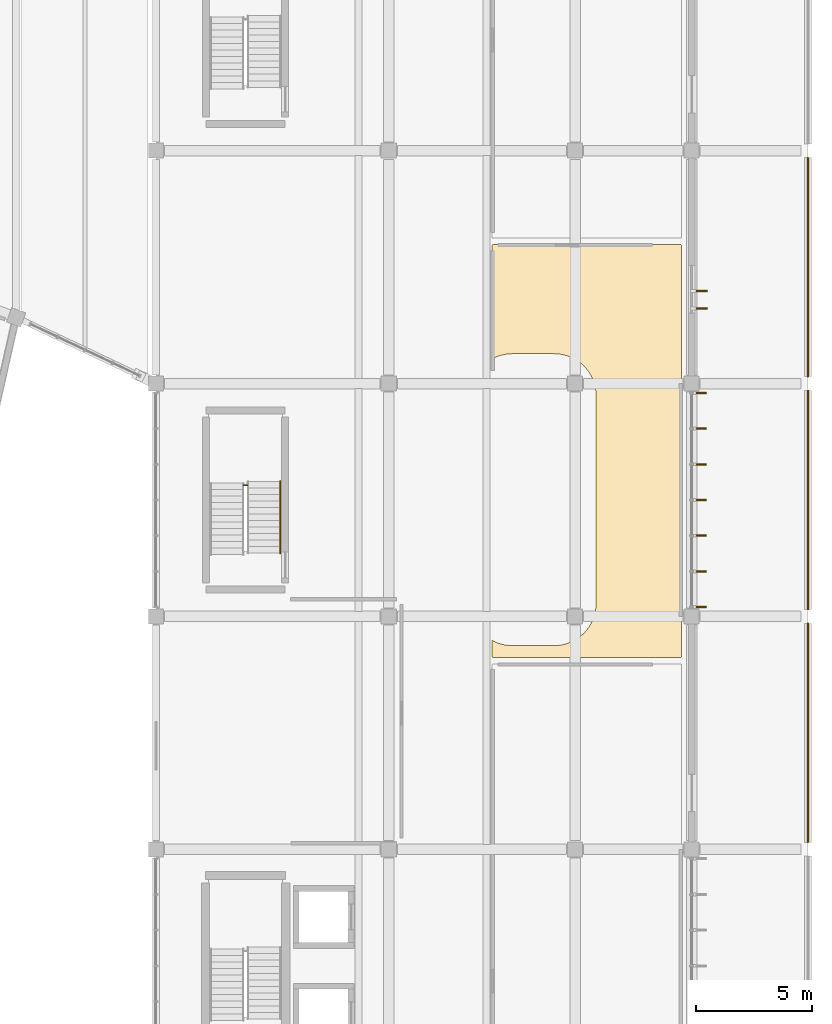
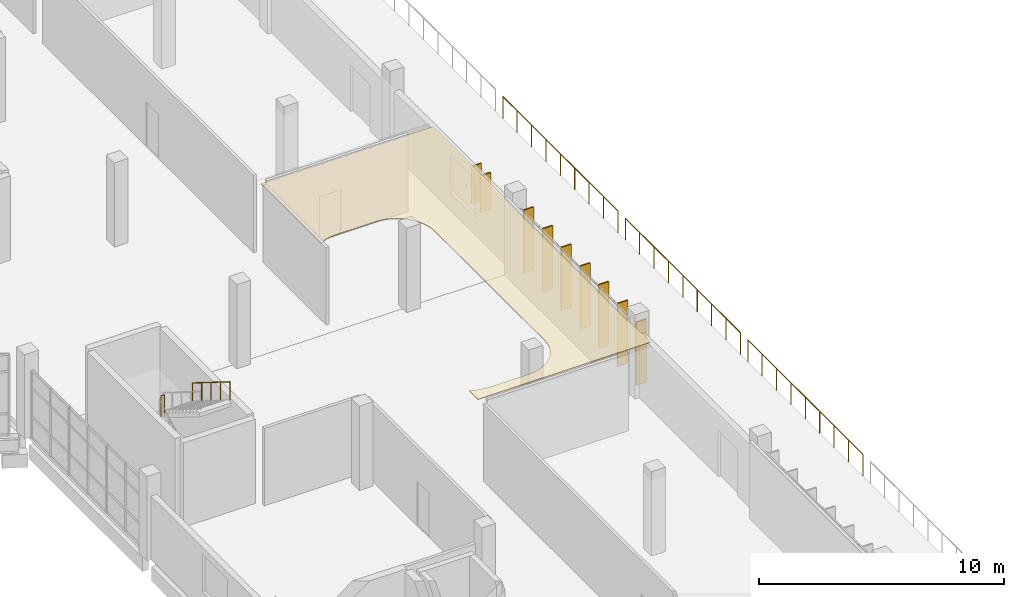
# One storey, part 136 of 142: 9 shading devices, 5 railings, 1 covering.
"""IFC4 building model written with IfcOpenShell, lengths in metres."""

from ifc_helpers import new_model, si_unit, direction, frame, origin, origin_2d, place, context, subcontext, project, spatial, polyline, rectangle, circle, outline, extrude, material, layer, layer_set, type_object, element, save


model = new_model("IFC4")

# Units and contexts
model_context = context("Model", 3, precision=1e-05, world=origin(), true_north=direction((0.0, 1.0)))
body_context = subcontext(model_context, "Body", "Model", "MODEL_VIEW")
ifc_project = project(units=[si_unit("LENGTHUNIT", "METRE"), si_unit("AREAUNIT", "SQUARE_METRE"), si_unit("VOLUMEUNIT", "CUBIC_METRE"), si_unit("PLANEANGLEUNIT", "RADIAN"), si_unit("MASSUNIT", "GRAM", prefix="KILO")], contexts=[model_context])

# Site, building, storey
site_placement = place(None, origin())
site = spatial("IfcSite", under=ifc_project, at=site_placement, CompositionType="ELEMENT")
building_placement = place(site_placement, origin())
building = spatial("IfcBuilding", under=site, at=building_placement, Name="Corvandel Quay Wholesale Market", CompositionType="ELEMENT")
storey_placement = place(building_placement, frame((0.0, 0.0, 10.800048828125)))
storey = spatial("IfcBuildingStorey", under=building, at=storey_placement, Name="L02", CompositionType="ELEMENT", Elevation=10.800048828125)

# Railings
ifc_material_1 = material(Name="Hot-dip galvanised painted steel", Category="steel")
ifc_layer_1 = layer(ifc_material_1, 0.06005859375)
ifc_layer_set_1 = layer_set([ifc_layer_1], Name="Hot-dip galvanised painted steel")
railing_type_1 = type_object("IfcRailingType", Name="Galvanised Steel Guard Balustrade GR01 1100mm", PredefinedType="BALUSTRADE", material=ifc_layer_set_1)
for number, where, name in (
    (1, (248.0, 30.300048828125, 0.0), "Harbour Terrace Guard L02 GR-0032"),
    (2, (248.0, 40.300048828125, 0.0), "Harbour Terrace Guard L02 GR-0033"),
    (3, (248.0, 50.300048828125, 0.0), "Harbour Terrace Guard L02 GR-0034"),
):
    element("IfcRailing", number, at=place(storey_placement, frame(where)), inside=storey, type_object=railing_type_1, Name=name, PredefinedType="BALUSTRADE", context=body_context, shape_type="SweptSolid", body=[
        extrude(circle(Radius=0.02392578125, at=origin_2d()), frame((0.0, 0.0, 1.076171875), z_axis=(0.0, 1.0, 0.0), x_axis=(-1.0, 0.0, 0.0)), (0.0, 0.0, 1.0), 9.39990234375),
        extrude(circle(Radius=0.02099609375, at=origin_2d()), origin(), (0.0, 0.0, 1.0), 1.052001953125),
        extrude(circle(Radius=0.02099609375, at=origin_2d()), frame((0.0, 1.175048828125, 0.0)), (0.0, 0.0, 1.0), 1.052001953125),
        extrude(circle(Radius=0.02099609375, at=origin_2d()), frame((0.0, 2.35009765625, 0.0)), (0.0, 0.0, 1.0), 1.052001953125),
        extrude(circle(Radius=0.02099609375, at=origin_2d()), frame((0.0, 3.52490234375, 0.0)), (0.0, 0.0, 1.0), 1.052001953125),
        extrude(circle(Radius=0.02099609375, at=origin_2d()), frame((0.0, 4.699951171875, 0.0)), (0.0, 0.0, 1.0), 1.052001953125),
        extrude(circle(Radius=0.02099609375, at=origin_2d()), frame((0.0, 5.875, 0.0)), (0.0, 0.0, 1.0), 1.052001953125),
        extrude(circle(Radius=0.02099609375, at=origin_2d()), frame((0.0, 7.0498046875, 0.0)), (0.0, 0.0, 1.0), 1.052001953125),
        extrude(circle(Radius=0.02099609375, at=origin_2d()), frame((0.0, 8.224853515625, 0.0)), (0.0, 0.0, 1.0), 1.052001953125),
        extrude(circle(Radius=0.02099609375, at=origin_2d()), frame((0.0, 9.39990234375, 0.0)), (0.0, 0.0, 1.0), 1.052001953125),
    ])

# Covering
ifc_material_2 = material(Name="Perforated powder-coated aluminium acoustic panel", Category="aluminium")
ifc_layer_2 = layer(ifc_material_2, 0.044921875)
ifc_layer_set_2 = layer_set([ifc_layer_2], Name="Perforated powder-coated aluminium acoustic panel")
covering_type = type_object("IfcCoveringType", Name="Perforated Acoustic Baffle Ceiling CLG01", PredefinedType="CEILING", material=ifc_layer_set_2)
covering_placement = place(storey_placement, frame((0.0, 0.0, 3.7099609375)))
element("IfcCovering", 4, at=covering_placement, inside=storey, type_object=covering_type, Name="Suspended Ceiling CLG-031", PredefinedType="CEILING", context=body_context, shape_type="SweptSolid", body=[
    extrude(outline(polyline([(234.4580078125, 38.239990234375), (234.4560546875, 38.239990234375), (234.4541015625, 38.240966796875), (234.451904296875, 38.241943359375), (234.450927734375, 38.241943359375), (234.448974609375, 38.242919921875), (234.447021484375, 38.2451171875), (234.446044921875, 38.24609375), (234.445068359375, 38.2470703125), (234.443115234375, 38.2490234375), (234.44189453125, 38.2509765625), (234.44189453125, 38.251953125), (234.44091796875, 38.25390625), (234.43994140625, 38.256103515625), (234.43994140625, 38.258056640625), (234.43994140625, 38.260009765625), (234.43994140625, 38.968994140625), (234.450927734375, 38.962890625), (234.611083984375, 38.886962890625), (234.777099609375, 38.827880859375), (234.948974609375, 38.784912109375), (235.1240234375, 38.759033203125), (235.300048828125, 38.75), (237.10009765625, 38.75), (237.27587890625, 38.759033203125), (237.450927734375, 38.784912109375), (237.623046875, 38.827880859375), (237.7890625, 38.886962890625), (237.948974609375, 38.962890625), (238.10009765625, 39.052978515625), (238.241943359375, 39.158935546875), (238.373046875, 39.277099609375), (238.490966796875, 39.407958984375), (238.596923828125, 39.550048828125), (238.68701171875, 39.700927734375), (238.762939453125, 39.861083984375), (238.822021484375, 40.027099609375), (238.864990234375, 40.198974609375), (238.89111328125, 40.3740234375), (238.89990234375, 40.550048828125), (238.89990234375, 49.47998046875), (238.89111328125, 49.656005859375), (238.864990234375, 49.8310546875), (238.822021484375, 50.0029296875), (238.762939453125, 50.1689453125), (238.68701171875, 50.3291015625), (238.596923828125, 50.47998046875), (238.490966796875, 50.6220703125), (238.373046875, 50.7529296875), (238.241943359375, 50.87109375), (238.10009765625, 50.97705078125), (237.948974609375, 51.06689453125), (237.7890625, 51.14306640625), (237.623046875, 51.201904296875), (237.450927734375, 51.2451171875), (237.27587890625, 51.27099609375), (237.10009765625, 51.280029296875), (235.300048828125, 51.280029296875), (235.1240234375, 51.27099609375), (234.948974609375, 51.2451171875), (234.777099609375, 51.201904296875), (234.611083984375, 51.14306640625), (234.450927734375, 51.06689453125), (234.43994140625, 51.06103515625), (234.43994140625, 55.93994140625), (234.43994140625, 55.94189453125), (234.43994140625, 55.944091796875), (234.44091796875, 55.946044921875), (234.44189453125, 55.947998046875), (234.44189453125, 55.948974609375), (234.443115234375, 55.950927734375), (234.445068359375, 55.952880859375), (234.446044921875, 55.9541015625), (234.447021484375, 55.955078125), (234.448974609375, 55.95703125), (234.450927734375, 55.9580078125), (234.451904296875, 55.9580078125), (234.4541015625, 55.958984375), (234.4560546875, 55.9599609375), (234.4580078125, 55.9599609375), (234.4599609375, 55.9599609375), (242.5400390625, 55.9599609375), (242.5419921875, 55.9599609375), (242.5439453125, 55.9599609375), (242.5458984375, 55.958984375), (242.548095703125, 55.9580078125), (242.549072265625, 55.9580078125), (242.551025390625, 55.95703125), (242.552978515625, 55.955078125), (242.553955078125, 55.9541015625), (242.554931640625, 55.952880859375), (242.556884765625, 55.950927734375), (242.55810546875, 55.948974609375), (242.55810546875, 55.947998046875), (242.55908203125, 55.946044921875), (242.56005859375, 55.944091796875), (242.56005859375, 55.94189453125), (242.56005859375, 55.93994140625), (242.56005859375, 38.260009765625), (242.56005859375, 38.258056640625), (242.56005859375, 38.256103515625), (242.55908203125, 38.25390625), (242.55810546875, 38.251953125), (242.55810546875, 38.2509765625), (242.556884765625, 38.2490234375), (242.554931640625, 38.2470703125), (242.553955078125, 38.24609375), (242.552978515625, 38.2451171875), (242.551025390625, 38.242919921875), (242.549072265625, 38.241943359375), (242.548095703125, 38.241943359375), (242.5458984375, 38.240966796875), (242.5439453125, 38.239990234375), (242.5419921875, 38.239990234375), (242.5400390625, 38.239990234375), (234.4599609375, 38.239990234375), (234.4580078125, 38.239990234375)])), origin(), (0.0, 0.0, 1.0), 0.044921875),
])

# Railings
ifc_material_3 = material(Name="Painted galvanised tubular steel", Category="steel")
ifc_layer_3 = layer(ifc_material_3, 0.054931640625)
ifc_layer_set_3 = layer_set([ifc_layer_3], Name="Painted galvanised tubular steel")
railing_type_2 = type_object("IfcRailingType", Name="Stairwell Inner Guard Railing GR02 1100mm", PredefinedType="GUARDRAIL", material=ifc_layer_set_3)
railing_1_placement = place(storey_placement, frame((223.77001953125, 45.6298828125, 2.099853515625)))
element("IfcRailing", 5, at=railing_1_placement, inside=storey, type_object=railing_type_2, Name="Stair Landing Well Guard 0172", PredefinedType="GUARDRAIL", context=body_context, shape_type="SweptSolid", body=[
    extrude(circle(Radius=0.02392578125, at=origin_2d()), frame((0.0, 0.0, 1.076171875), z_axis=(1.0, 0.0, 0.0), x_axis=(0.0, 1.0, 0.0)), (0.0, 0.0, 1.0), 0.159912109375),
    extrude(circle(Radius=0.02099609375, at=origin_2d()), origin(), (0.0, 0.0, 1.0), 1.052001953125),
    extrude(circle(Radius=0.02099609375, at=origin_2d()), frame((0.159912109375, 0.0, 0.0)), (0.0, 0.0, 1.0), 1.052001953125),
])
ifc_material_4 = material(Name="Brushed austenitic stainless steel Grade 316", Category="steel")
ifc_layer_4 = layer(ifc_material_4, 0.048095703125)
ifc_layer_set_4 = layer_set([ifc_layer_4], Name="Brushed austenitic stainless steel Grade 316")
railing_type_3 = type_object("IfcRailingType", Name="Tubular Stainless Stair Handrail HR01 915mm", PredefinedType="HANDRAIL", material=ifc_layer_set_4)
railing_2_placement = place(storey_placement, frame((225.340087890625, 45.800048828125, 2.27490234375)))
element("IfcRailing", 6, at=railing_2_placement, inside=storey, type_object=railing_type_3, Name="Stair Handrail 0171", PredefinedType="HANDRAIL", context=body_context, shape_type="SweptSolid", body=[
    extrude(circle(Radius=0.02392578125, at=origin_2d()), frame((0.0, 0.0, 0.89111328125), z_axis=(0.0, -0.847998304005, 0.529998940003), x_axis=(1.0, 0.0, 0.0)), (0.0, 0.0, 1.0), 3.632080078125),
    extrude(circle(Radius=0.02099609375, at=origin_2d()), origin(), (0.0, 0.0, 1.0), 0.866943359375),
    extrude(circle(Radius=0.02099609375, at=origin_2d()), frame((0.0, -0.77001953125, 0.481201171875)), (0.0, 0.0, 1.0), 0.866943359375),
    extrude(circle(Radius=0.02099609375, at=origin_2d()), frame((0.0, -1.5400390625, 0.96240234375)), (0.0, 0.0, 1.0), 0.866943359375),
    extrude(circle(Radius=0.02099609375, at=origin_2d()), frame((0.0, -2.31005859375, 1.44384765625)), (0.0, 0.0, 1.0), 0.866943359375),
    extrude(circle(Radius=0.02099609375, at=origin_2d()), frame((0.0, -3.080078125, 1.925048828125)), (0.0, 0.0, 1.0), 0.866943359375),
])

# Shading devices
ifc_material_5 = material(Name="Bronze anodised extruded aluminium 6063-T6", Category="aluminium")
shading_device_type = type_object("IfcShadingDeviceType", Name="Vertical Anodised Bronze Solar Fin FN01 480mm", PredefinedType="JALOUSIE", material=ifc_material_5)
for number, where, z_axis, x_axis, name in (
    (7, (243.3798828125, 40.39990234375, 0.10009765625), (0.0, 0.0, 1.0), (1.0, 0.0, 0.0), "Solar Fin 0694"),
    (8, (243.3798828125, 41.933349609375, 0.10009765625), (0.0, 0.0, 1.0), (1.0, 0.0, 0.0), "Solar Fin 0695"),
    (9, (243.3798828125, 43.466796875, 0.10009765625), (0.0, 0.0, 1.0), (1.0, 0.0, 0.0), "Solar Fin 0696"),
    (10, (243.3798828125, 45.0, 0.10009765625), (0.0, 0.0, 1.0), (1.0, 0.0, 0.0), "Solar Fin 0697"),
    (11, (243.3798828125, 46.533203125, 0.10009765625), (0.0, 0.0, 1.0), (1.0, 0.0, 0.0), "Solar Fin 0698"),
    (12, (243.3798828125, 48.066650390625, 0.10009765625), (0.0, 0.0, 1.0), (1.0, 0.0, 0.0), "Solar Fin 0699"),
    (13, (243.3798828125, 49.60009765625, 0.10009765625), (0.0, 0.0, 1.0), (1.0, 0.0, 0.0), "Solar Fin 0700"),
):
    element("IfcShadingDevice", number, at=place(storey_placement, frame(where, z_axis=z_axis, x_axis=x_axis)), inside=storey, type_object=shading_device_type, Name=name, PredefinedType="JALOUSIE", context=body_context, shape_type="SweptSolid", body=[
        extrude(rectangle(XDim=0.47998046875, YDim=0.06494140625, at=origin_2d()), origin(), (0.0, 0.0, 1.0), 3.14990234375),
    ])
for number, where, z_axis, x_axis, name in (
    (14, (243.43994140625, 53.219970703125, 0.89990234375), (0.0, 0.0, 1.0), (1.0, 0.0, 0.0), "Solar Fin 0701"),
    (15, (243.43994140625, 53.969970703125, 0.89990234375), (0.0, 0.0, 1.0), (1.0, 0.0, 0.0), "Solar Fin 0702"),
):
    element("IfcShadingDevice", number, at=place(storey_placement, frame(where, z_axis=z_axis, x_axis=x_axis)), inside=storey, type_object=shading_device_type, Name=name, PredefinedType="JALOUSIE", context=body_context, shape_type="SweptSolid", body=[
        extrude(rectangle(XDim=0.47998046875, YDim=0.06494140625, at=origin_2d()), origin(), (0.0, 0.0, 1.0), 1.85009765625),
    ])

save(model, "model.ifc")
